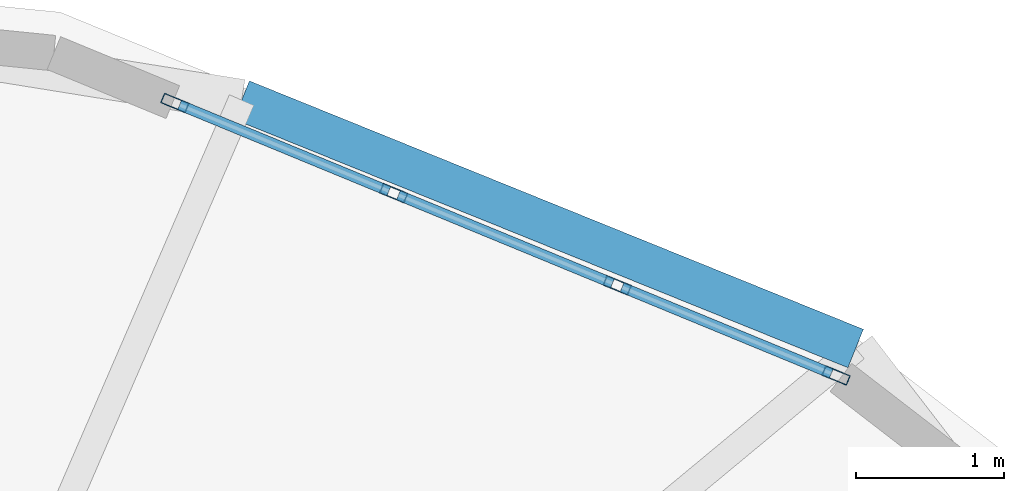
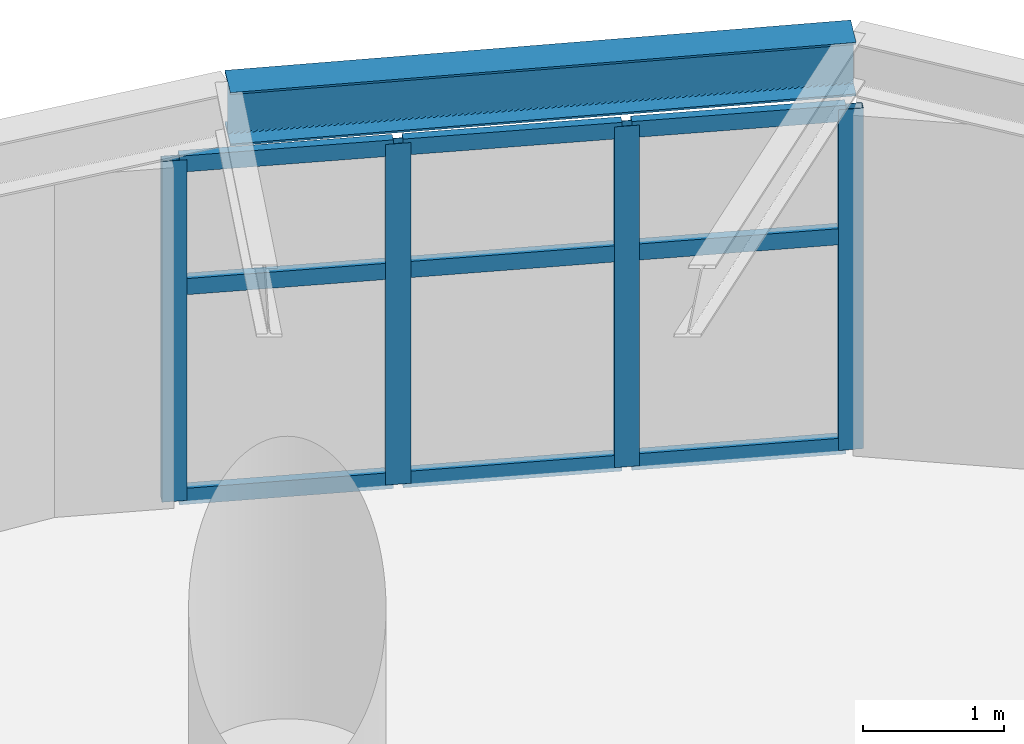
# One storey, part 7 of 17: 13 members, 1 beam, 1 element without a shape of its own.
"""IFC4 building model written with IfcOpenShell, lengths in metres."""

from ifc_helpers import new_model, si_unit, direction, frame, origin, origin_2d, place, context, subcontext, project, spatial, hollow_rectangle, i_section, extrude, material, layer, layer_set, material_profile, profile_set, type_object, element, aggregate, save


model = new_model("IFC4")

# Units and contexts
model_context = context("Model", 3, precision=1e-05, world=origin(), true_north=direction((0.0, 1.0)))
body_context = subcontext(model_context, "Body", "Model", "MODEL_VIEW")
ifc_project = project(units=[si_unit("LENGTHUNIT", "METRE"), si_unit("AREAUNIT", "SQUARE_METRE"), si_unit("VOLUMEUNIT", "CUBIC_METRE"), si_unit("PLANEANGLEUNIT", "RADIAN"), si_unit("MASSUNIT", "GRAM", prefix="KILO")], contexts=[model_context])

# Site, building, storey
site_placement = place(None, origin())
site = spatial("IfcSite", under=ifc_project, at=site_placement, CompositionType="ELEMENT")
building_placement = place(site_placement, origin())
building = spatial("IfcBuilding", under=site, at=building_placement, Name="Cununo Teusaquillo Station Towers", CompositionType="ELEMENT")
storey_placement = place(building_placement, frame((0.0, 0.0, 125.43994140625)))
storey = spatial("IfcBuildingStorey", under=building, at=storey_placement, Name="L40", CompositionType="ELEMENT", Elevation=125.43994140625)

# Beam
ifc_material_1 = material(Name="Steel ASTM A572 Grade 50", Category="steel")
ifc_material_profile_1 = material_profile(ifc_material_1, i_section(OverallWidth=0.280029296875, OverallDepth=0.462890625, WebThickness=0.0107421875, FlangeThickness=0.017333984375, FilletRadius=0.013916015625, at=origin_2d()), Name="W18X76")
ifc_profile_set_1 = profile_set([ifc_material_profile_1], Name="Steel ASTM A572 Grade 50")
beam_type = type_object("IfcBeamType", Name="BM-RING-Z2", PredefinedType="SPANDREL", material=ifc_profile_set_1)
beam_placement = place(storey_placement, frame((63.9111328125, 39.341064453125, 3.20849609375), z_axis=(-0.927007712072, 0.375042266631, 0.0), x_axis=(-0.375042266631, -0.927007712072, 0.0)))
element("IfcBeam", 1, at=beam_placement, inside=storey, type_object=beam_type, Name="L40 Tower B Spandrel Ring Beam 02", PredefinedType="SPANDREL", context=body_context, shape_type="SweptSolid", body=[
    extrude(i_section(OverallWidth=0.280029296875, OverallDepth=0.462890625, WebThickness=0.0107421875, FlangeThickness=0.017333984375, FilletRadius=0.013916015625, at=origin_2d()), origin(), (0.0, 0.0, 1.0), 4.480712890625),
])

# Curtain wall, members
ifc_material_2 = material(Name="Ceramic-fritted dark low-E double glazing", Category="glass")
ifc_layer = layer(ifc_material_2, 0.179931640625)
ifc_layer_set = layer_set([ifc_layer], Name="Ceramic-fritted dark low-E double glazing")
curtain_wall_type = type_object("IfcCurtainWallType", Name="CW-SYS-04", PredefinedType="USERDEFINED", material=ifc_layer_set)
curtain_wall_placement = place(storey_placement, origin())
curtain_wall = element("IfcCurtainWall", 2, at=curtain_wall_placement, inside=storey, type_object=curtain_wall_type, Name="L40 Tower B Facade Curtain Wall C01", ObjectType="FRITTED GLAZING", PredefinedType="USERDEFINED")
ifc_material_3 = material(Name="Anodised dark bronze aluminium EN AW-6063-T6", Category="aluminium")
ifc_material_profile_2 = material_profile(ifc_material_3, hollow_rectangle(XDim=0.070068359375, YDim=0.179931640625, WallThickness=0.00390625, at=origin_2d()), Name="CW-MULL-70x180")
ifc_profile_set_2 = profile_set([ifc_material_profile_2], Name="Anodised dark bronze aluminium EN AW-6063-T6")
member_type_1 = type_object("IfcMemberType", Name="CWM-180", PredefinedType="MULLION", material=ifc_profile_set_2)
member_1_placement = place(storey_placement, frame((59.3056640625, 41.001953125, 0.0), z_axis=(0.0, 0.0, 1.0), x_axis=(0.381030560176, 0.924562443652, 0.0)))
member_1 = element("IfcMember", 3, at=member_1_placement, type_object=member_type_1, Name="CW-04 mullion 1", PredefinedType="MULLION", context=body_context, shape_type="SweptSolid", body=[
    extrude(hollow_rectangle(XDim=0.070068359375, YDim=0.179931640625, WallThickness=0.00390625, at=origin_2d()), origin(), (0.0, 0.0, 1.0), 2.948974609375),
])
member_2_placement = place(storey_placement, frame((60.785888671875, 40.39208984375, 0.0), z_axis=(0.0, 0.0, 1.0), x_axis=(0.381030560176, 0.924562443652, 0.0)))
member_2 = element("IfcMember", 4, at=member_2_placement, type_object=member_type_1, Name="CW-04 mullion 2", PredefinedType="MULLION", context=body_context, shape_type="SweptSolid", body=[
    extrude(hollow_rectangle(XDim=0.070068359375, YDim=0.179931640625, WallThickness=0.00390625, at=origin_2d()), origin(), (0.0, 0.0, 1.0), 2.948974609375),
])
member_3_placement = place(storey_placement, frame((62.298583984375, 39.7685546875, 0.0), z_axis=(0.0, 0.0, 1.0), x_axis=(0.381030560176, 0.924562443652, 0.0)))
member_3 = element("IfcMember", 5, at=member_3_placement, type_object=member_type_1, Name="CW-04 mullion 3", PredefinedType="MULLION", context=body_context, shape_type="SweptSolid", body=[
    extrude(hollow_rectangle(XDim=0.070068359375, YDim=0.179931640625, WallThickness=0.00390625, at=origin_2d()), origin(), (0.0, 0.0, 1.0), 2.948974609375),
])
member_4_placement = place(storey_placement, frame((63.77880859375, 39.158447265625, 0.0), z_axis=(0.0, 0.0, 1.0), x_axis=(0.381030560176, 0.924562443652, 0.0)))
member_4 = element("IfcMember", 6, at=member_4_placement, type_object=member_type_1, Name="CW-04 mullion 4", PredefinedType="MULLION", context=body_context, shape_type="SweptSolid", body=[
    extrude(hollow_rectangle(XDim=0.070068359375, YDim=0.179931640625, WallThickness=0.00390625, at=origin_2d()), origin(), (0.0, 0.0, 1.0), 2.948974609375),
])
ifc_material_4 = material(Name="Anodised dark bronze aluminium EN AW-6063-T6", Category="aluminium")
ifc_material_profile_3 = material_profile(ifc_material_4, hollow_rectangle(XDim=0.070068359375, YDim=0.139892578125, WallThickness=0.00390625, at=origin_2d()), Name="CW-TRAN-70x140")
ifc_profile_set_3 = profile_set([ifc_material_profile_3], Name="Anodised dark bronze aluminium EN AW-6063-T6")
member_type_2 = type_object("IfcMemberType", Name="CWT-140", PredefinedType="USERDEFINED", material=ifc_profile_set_3)
member_5_placement = place(storey_placement, frame((59.337890625, 40.98876953125, 0.03515625), z_axis=(0.924532726965, -0.381102659097, 0.0), x_axis=(0.381102659097, 0.924532726965, 0.0)))
member_5 = element("IfcMember", 7, at=member_5_placement, type_object=member_type_2, Name="CW-04 transom 1.1", ObjectType="TRANSOM", PredefinedType="USERDEFINED", context=body_context, shape_type="SweptSolid", body=[
    extrude(hollow_rectangle(XDim=0.070068359375, YDim=0.139892578125, WallThickness=0.00390625, at=origin_2d()), origin(), (0.0, 0.0, 1.0), 1.531005859375),
])
member_6_placement = place(storey_placement, frame((59.337890625, 40.98876953125, 1.85009765625), z_axis=(0.924532726965, -0.381102659097, 0.0), x_axis=(0.381102659097, 0.924532726965, 0.0)))
member_6 = element("IfcMember", 8, at=member_6_placement, type_object=member_type_2, Name="CW-04 transom 1.2", ObjectType="TRANSOM", PredefinedType="USERDEFINED", context=body_context, shape_type="SweptSolid", body=[
    extrude(hollow_rectangle(XDim=0.070068359375, YDim=0.139892578125, WallThickness=0.00390625, at=origin_2d()), origin(), (0.0, 0.0, 1.0), 1.531005859375),
])
member_7_placement = place(storey_placement, frame((59.337890625, 40.98876953125, 2.9140625), z_axis=(0.924532726965, -0.381102659097, 0.0), x_axis=(0.381102659097, 0.924532726965, 0.0)))
member_7 = element("IfcMember", 9, at=member_7_placement, type_object=member_type_2, Name="CW-04 transom 1.3", ObjectType="TRANSOM", PredefinedType="USERDEFINED", context=body_context, shape_type="SweptSolid", body=[
    extrude(hollow_rectangle(XDim=0.070068359375, YDim=0.139892578125, WallThickness=0.00390625, at=origin_2d()), origin(), (0.0, 0.0, 1.0), 1.531005859375),
])
member_8_placement = place(storey_placement, frame((60.818115234375, 40.378662109375, 0.03515625), z_axis=(0.924577983912, -0.380992849887, 0.0), x_axis=(0.380992849887, 0.924577983912, 0.0)))
member_8 = element("IfcMember", 10, at=member_8_placement, type_object=member_type_2, Name="CW-04 transom 2.1", ObjectType="TRANSOM", PredefinedType="USERDEFINED", context=body_context, shape_type="SweptSolid", body=[
    extrude(hollow_rectangle(XDim=0.070068359375, YDim=0.139892578125, WallThickness=0.00390625, at=origin_2d()), origin(), (0.0, 0.0, 1.0), 1.566162109375),
])
member_9_placement = place(storey_placement, frame((60.818115234375, 40.378662109375, 1.85009765625), z_axis=(0.924577983912, -0.380992849887, 0.0), x_axis=(0.380992849887, 0.924577983912, 0.0)))
member_9 = element("IfcMember", 11, at=member_9_placement, type_object=member_type_2, Name="CW-04 transom 2.2", ObjectType="TRANSOM", PredefinedType="USERDEFINED", context=body_context, shape_type="SweptSolid", body=[
    extrude(hollow_rectangle(XDim=0.070068359375, YDim=0.139892578125, WallThickness=0.00390625, at=origin_2d()), origin(), (0.0, 0.0, 1.0), 1.566162109375),
])
member_10_placement = place(storey_placement, frame((60.818115234375, 40.378662109375, 2.9140625), z_axis=(0.924577983912, -0.380992849887, 0.0), x_axis=(0.380992849887, 0.924577983912, 0.0)))
member_10 = element("IfcMember", 12, at=member_10_placement, type_object=member_type_2, Name="CW-04 transom 2.3", ObjectType="TRANSOM", PredefinedType="USERDEFINED", context=body_context, shape_type="SweptSolid", body=[
    extrude(hollow_rectangle(XDim=0.070068359375, YDim=0.139892578125, WallThickness=0.00390625, at=origin_2d()), origin(), (0.0, 0.0, 1.0), 1.566162109375),
])
member_11_placement = place(storey_placement, frame((62.330810546875, 39.75537109375, 0.03515625), z_axis=(0.924555881283, -0.381046483233, 0.0), x_axis=(0.381046483233, 0.924555881283, 0.0)))
member_11 = element("IfcMember", 13, at=member_11_placement, type_object=member_type_2, Name="CW-04 transom 3.1", ObjectType="TRANSOM", PredefinedType="USERDEFINED", context=body_context, shape_type="SweptSolid", body=[
    extrude(hollow_rectangle(XDim=0.070068359375, YDim=0.139892578125, WallThickness=0.00390625, at=origin_2d()), origin(), (0.0, 0.0, 1.0), 1.53125),
])
member_12_placement = place(storey_placement, frame((62.330810546875, 39.75537109375, 1.85009765625), z_axis=(0.924555881283, -0.381046483233, 0.0), x_axis=(0.381046483233, 0.924555881283, 0.0)))
member_12 = element("IfcMember", 14, at=member_12_placement, type_object=member_type_2, Name="CW-04 transom 3.2", ObjectType="TRANSOM", PredefinedType="USERDEFINED", context=body_context, shape_type="SweptSolid", body=[
    extrude(hollow_rectangle(XDim=0.070068359375, YDim=0.139892578125, WallThickness=0.00390625, at=origin_2d()), origin(), (0.0, 0.0, 1.0), 1.53125),
])
member_13_placement = place(storey_placement, frame((62.330810546875, 39.75537109375, 2.9140625), z_axis=(0.924555881283, -0.381046483233, 0.0), x_axis=(0.381046483233, 0.924555881283, 0.0)))
member_13 = element("IfcMember", 15, at=member_13_placement, type_object=member_type_2, Name="CW-04 transom 3.3", ObjectType="TRANSOM", PredefinedType="USERDEFINED", context=body_context, shape_type="SweptSolid", body=[
    extrude(hollow_rectangle(XDim=0.070068359375, YDim=0.139892578125, WallThickness=0.00390625, at=origin_2d()), origin(), (0.0, 0.0, 1.0), 1.53125),
])
aggregate(curtain_wall, [member_1, member_2, member_3, member_4, member_5, member_6, member_7, member_8, member_9, member_10, member_11, member_12, member_13])

save(model, "model.ifc")
